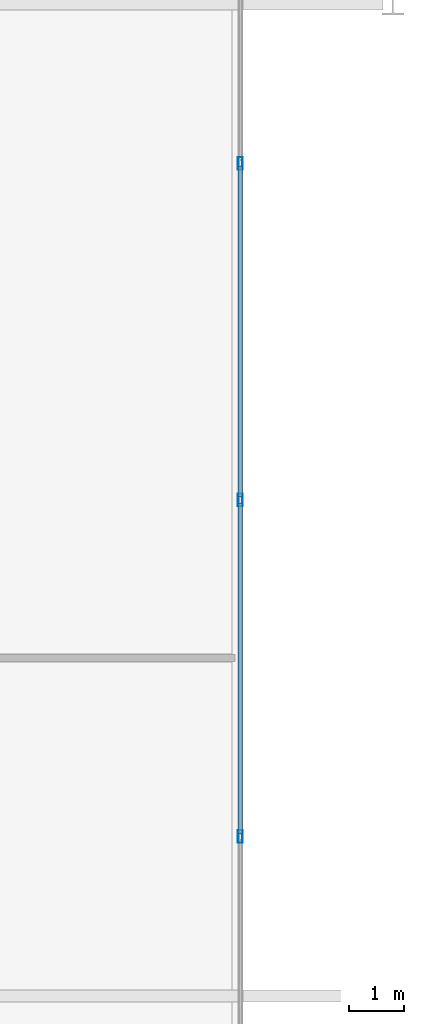
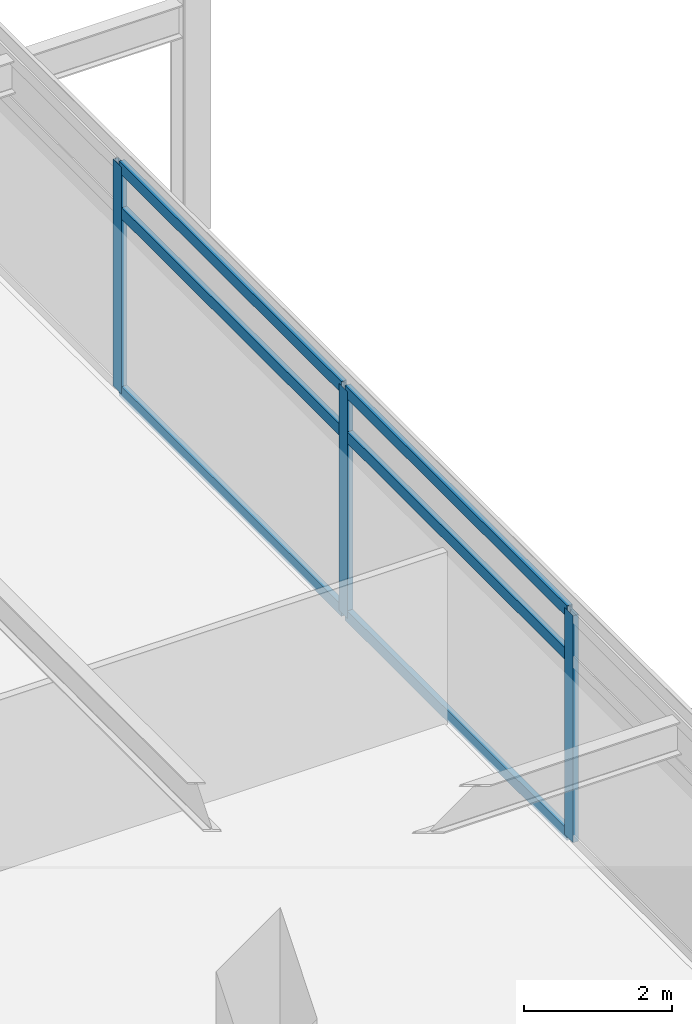
# One storey, part 8 of 21: 9 members, 1 element without a shape of its own.
"""IFC4 building model written with IfcOpenShell, lengths in metres."""

from ifc_helpers import new_model, si_unit, direction, frame, origin, origin_2d, place, context, subcontext, project, spatial, hollow_rectangle, extrude, material, material_profile, profile_set, type_object, element, aggregate, save


model = new_model("IFC4")

# Units and contexts
model_context = context("Model", 3, precision=1e-05, world=origin(), true_north=direction((0.0, 1.0)))
body_context = subcontext(model_context, "Body", "Model", "MODEL_VIEW")
ifc_project = project(units=[si_unit("LENGTHUNIT", "METRE"), si_unit("AREAUNIT", "SQUARE_METRE"), si_unit("VOLUMEUNIT", "CUBIC_METRE"), si_unit("PLANEANGLEUNIT", "RADIAN"), si_unit("MASSUNIT", "GRAM", prefix="KILO")], contexts=[model_context])

# Site, building, storey
site_placement = place(None, origin())
site = spatial("IfcSite", under=ifc_project, at=site_placement, CompositionType="ELEMENT")
building_placement = place(site_placement, origin())
building = spatial("IfcBuilding", under=site, at=building_placement, Name="Kovane Verandah Tower", CompositionType="ELEMENT")
storey_placement = place(building_placement, frame((0.0, 0.0, 326.800048828125)))
storey = spatial("IfcBuildingStorey", under=building, at=storey_placement, Name="L76", CompositionType="ELEMENT", Elevation=326.800048828125)

# Curtain wall, members
ifc_material_1 = material(Name="Champagne Anodised Aluminium Frame with Low-E Clear Laminated Glass", Category="aluminium")
curtain_wall_type = type_object("IfcCurtainWallType", Name="CW-SYS-05-HIGH", PredefinedType="NOTDEFINED", material=ifc_material_1)
curtain_wall_placement = place(storey_placement, origin())
curtain_wall = element("IfcCurtainWall", 1, at=curtain_wall_placement, inside=storey, type_object=curtain_wall_type, Name="L76 E Unitised Curtain Wall", PredefinedType="NOTDEFINED")
ifc_material_2 = material(Name="Champagne Anodised Aluminium 6063-T6", Category="aluminium")
ifc_material_profile_1 = material_profile(ifc_material_2, hollow_rectangle(XDim=0.0849609375, YDim=0.22998046875, WallThickness=0.00390625, at=origin_2d()), Name="AL85x230x4")
ifc_profile_set_1 = profile_set([ifc_material_profile_1], Name="Champagne Anodised Aluminium 6063-T6")
member_type_1 = type_object("IfcMemberType", Name="CW-MUL-85x230", PredefinedType="MULLION", material=ifc_profile_set_1)
member_1_placement = place(storey_placement, frame((64.83154296875, 21.394775390625, 0.02001953125), z_axis=(0.0, 0.0, 1.0), x_axis=(1.0, 0.0, 0.0)))
member_1 = element("IfcMember", 2, at=member_1_placement, type_object=member_type_1, Name="L76 E Unitised Curtain Wall Mullion 3", PredefinedType="MULLION", context=body_context, shape_type="SweptSolid", body=[
    extrude(hollow_rectangle(XDim=0.0849609375, YDim=0.22998046875, WallThickness=0.00390625, at=origin_2d()), origin(), (0.0, 0.0, 1.0), 3.744873046875),
])
member_2_placement = place(storey_placement, frame((64.83154296875, 27.5, 0.02001953125), z_axis=(0.0, 0.0, 1.0), x_axis=(1.0, 0.0, 0.0)))
member_2 = element("IfcMember", 3, at=member_2_placement, type_object=member_type_1, Name="L76 E Unitised Curtain Wall Mullion 4", PredefinedType="MULLION", context=body_context, shape_type="SweptSolid", body=[
    extrude(hollow_rectangle(XDim=0.0849609375, YDim=0.22998046875, WallThickness=0.00390625, at=origin_2d()), origin(), (0.0, 0.0, 1.0), 3.744873046875),
])
member_3_placement = place(storey_placement, frame((64.83154296875, 33.605224609375, 0.02001953125), z_axis=(0.0, 0.0, 1.0), x_axis=(1.0, 0.0, 0.0)))
member_3 = element("IfcMember", 4, at=member_3_placement, type_object=member_type_1, Name="L76 E Unitised Curtain Wall Mullion 5", PredefinedType="MULLION", context=body_context, shape_type="SweptSolid", body=[
    extrude(hollow_rectangle(XDim=0.0849609375, YDim=0.22998046875, WallThickness=0.00390625, at=origin_2d()), origin(), (0.0, 0.0, 1.0), 3.744873046875),
])
ifc_material_profile_2 = material_profile(ifc_material_2, hollow_rectangle(XDim=0.0849609375, YDim=0.18994140625, WallThickness=0.00390625, at=origin_2d()), Name="AL85x190x4")
ifc_profile_set_2 = profile_set([ifc_material_profile_2], Name="Champagne Anodised Aluminium 6063-T6")
member_type_2 = type_object("IfcMemberType", Name="CW-TRN-85x190", PredefinedType="USERDEFINED", material=ifc_profile_set_2)
member_4_placement = place(storey_placement, frame((64.83154296875, 21.44482421875, 0.050048828125), z_axis=(0.0, 1.0, 0.0), x_axis=(-1.0, 0.0, 0.0)))
member_4 = element("IfcMember", 5, at=member_4_placement, type_object=member_type_2, Name="L76 E Unitised Curtain Wall Transom TB Bay 3", ObjectType="TRANSOM", PredefinedType="USERDEFINED", context=body_context, shape_type="SweptSolid", body=[
    extrude(hollow_rectangle(XDim=0.0849609375, YDim=0.18994140625, WallThickness=0.00390625, at=origin_2d()), origin(), (0.0, 0.0, 1.0), 6.005126953125),
])
member_5_placement = place(storey_placement, frame((64.83154296875, 21.44482421875, 3.0048828125), z_axis=(0.0, 1.0, 0.0), x_axis=(-1.0, 0.0, 0.0)))
member_5 = element("IfcMember", 6, at=member_5_placement, type_object=member_type_2, Name="L76 E Unitised Curtain Wall Transom TM Bay 3", ObjectType="TRANSOM", PredefinedType="USERDEFINED", context=body_context, shape_type="SweptSolid", body=[
    extrude(hollow_rectangle(XDim=0.0849609375, YDim=0.18994140625, WallThickness=0.00390625, at=origin_2d()), origin(), (0.0, 0.0, 1.0), 6.005126953125),
])
member_6_placement = place(storey_placement, frame((64.83154296875, 21.44482421875, 3.73486328125), z_axis=(0.0, 1.0, 0.0), x_axis=(-1.0, 0.0, 0.0)))
member_6 = element("IfcMember", 7, at=member_6_placement, type_object=member_type_2, Name="L76 E Unitised Curtain Wall Transom TT Bay 3", ObjectType="TRANSOM", PredefinedType="USERDEFINED", context=body_context, shape_type="SweptSolid", body=[
    extrude(hollow_rectangle(XDim=0.0849609375, YDim=0.18994140625, WallThickness=0.00390625, at=origin_2d()), origin(), (0.0, 0.0, 1.0), 6.005126953125),
])
member_7_placement = place(storey_placement, frame((64.83154296875, 27.550048828125, 0.050048828125), z_axis=(0.0, 1.0, 0.0), x_axis=(-1.0, 0.0, 0.0)))
member_7 = element("IfcMember", 8, at=member_7_placement, type_object=member_type_2, Name="L76 E Unitised Curtain Wall Transom TB Bay 4", ObjectType="TRANSOM", PredefinedType="USERDEFINED", context=body_context, shape_type="SweptSolid", body=[
    extrude(hollow_rectangle(XDim=0.0849609375, YDim=0.18994140625, WallThickness=0.00390625, at=origin_2d()), origin(), (0.0, 0.0, 1.0), 6.005126953125),
])
member_8_placement = place(storey_placement, frame((64.83154296875, 27.550048828125, 3.0048828125), z_axis=(0.0, 1.0, 0.0), x_axis=(-1.0, 0.0, 0.0)))
member_8 = element("IfcMember", 9, at=member_8_placement, type_object=member_type_2, Name="L76 E Unitised Curtain Wall Transom TM Bay 4", ObjectType="TRANSOM", PredefinedType="USERDEFINED", context=body_context, shape_type="SweptSolid", body=[
    extrude(hollow_rectangle(XDim=0.0849609375, YDim=0.18994140625, WallThickness=0.00390625, at=origin_2d()), origin(), (0.0, 0.0, 1.0), 6.005126953125),
])
member_9_placement = place(storey_placement, frame((64.83154296875, 27.550048828125, 3.73486328125), z_axis=(0.0, 1.0, 0.0), x_axis=(-1.0, 0.0, 0.0)))
member_9 = element("IfcMember", 10, at=member_9_placement, type_object=member_type_2, Name="L76 E Unitised Curtain Wall Transom TT Bay 4", ObjectType="TRANSOM", PredefinedType="USERDEFINED", context=body_context, shape_type="SweptSolid", body=[
    extrude(hollow_rectangle(XDim=0.0849609375, YDim=0.18994140625, WallThickness=0.00390625, at=origin_2d()), origin(), (0.0, 0.0, 1.0), 6.005126953125),
])
aggregate(curtain_wall, [member_1, member_2, member_3, member_4, member_5, member_6, member_7, member_8, member_9])

save(model, "model.ifc")
